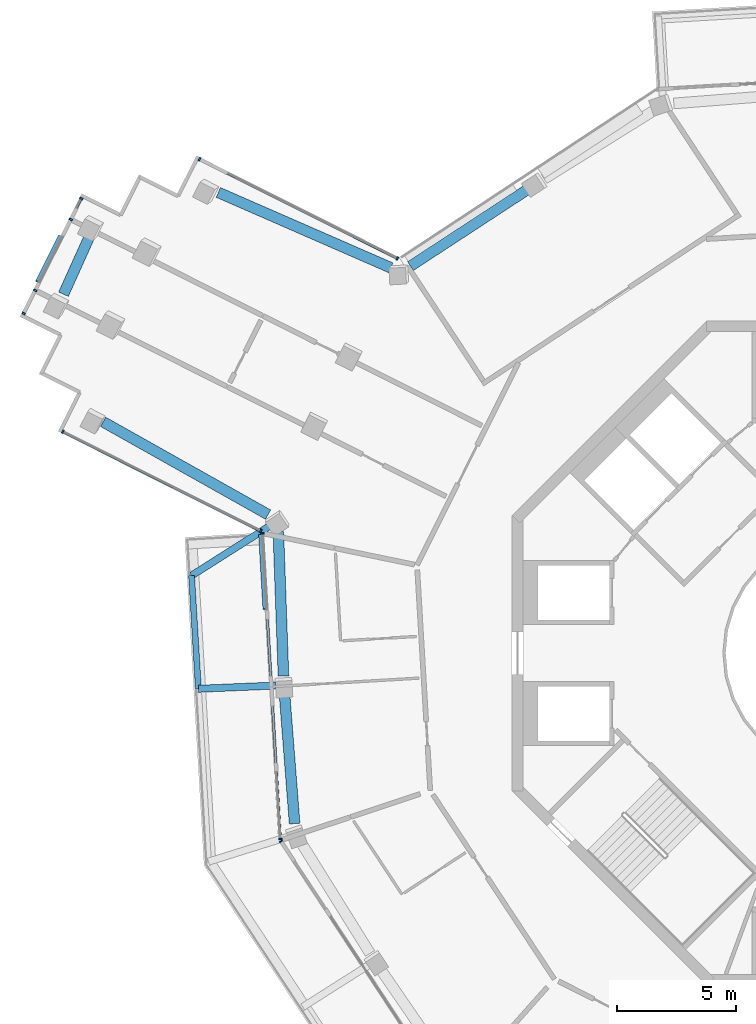
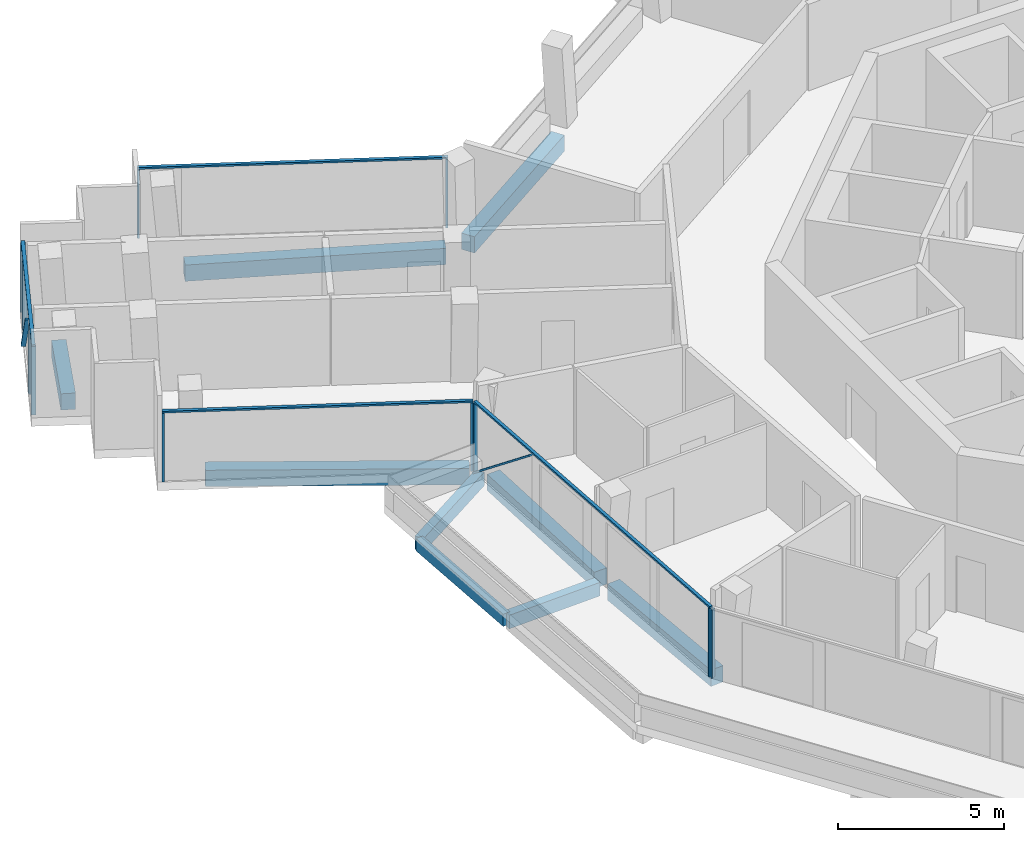
# One storey, part 5 of 26: 17 members, 9 beams, 5 elements without a shape of their own.
"""IFC4 building model written with IfcOpenShell, lengths in metres."""

from ifc_helpers import new_model, si_unit, direction, frame, origin, origin_2d, place, context, subcontext, project, spatial, rectangle, extrude, material, layer, layer_set, material_profile, profile_set, type_object, element, aggregate, save


model = new_model("IFC4")

# Units and contexts
model_context = context("Model", 3, precision=1e-05, world=origin(), true_north=direction((0.0, 1.0)))
body_context = subcontext(model_context, "Body", "Model", "MODEL_VIEW")
ifc_project = project(units=[si_unit("LENGTHUNIT", "METRE"), si_unit("AREAUNIT", "SQUARE_METRE"), si_unit("VOLUMEUNIT", "CUBIC_METRE"), si_unit("PLANEANGLEUNIT", "RADIAN"), si_unit("MASSUNIT", "GRAM", prefix="KILO")], contexts=[model_context])

# Site, building, storey
site_placement = place(None, origin())
site = spatial("IfcSite", under=ifc_project, at=site_placement, CompositionType="ELEMENT")
building_placement = place(site_placement, origin())
building = spatial("IfcBuilding", under=site, at=building_placement, Name="Verdalira Terraces Hotel", CompositionType="ELEMENT")
storey_placement = place(building_placement, frame((0.0, 0.0, 291.5)))
storey = spatial("IfcBuildingStorey", under=building, at=storey_placement, Name="L72", CompositionType="ELEMENT", Elevation=291.5)

# Beams
ifc_material_1 = material(Name="Concrete C40", Category="concrete")
ifc_material_profile_1 = material_profile(ifc_material_1, rectangle(XDim=0.300049, YDim=0.5, at=origin_2d()), Name="RC 300X500")
ifc_profile_set_1 = profile_set([ifc_material_profile_1], Name="Concrete C40")
beam_type_1 = type_object("IfcBeamType", Name="Balcony cantilever beam RC 300X500 C40", PredefinedType="BEAM", material=ifc_profile_set_1)
beam_1_placement = place(storey_placement, frame((-24.170898, 5.384766, -0.560059), z_axis=(-0.844342863, -0.535803256, 0.0), x_axis=(0.535803256, -0.844342863, 0.0)))
element("IfcBeam", 1, at=beam_1_placement, inside=storey, type_object=beam_type_1, Name="Balcony cantilever beam R11-3", PredefinedType="BEAM", context=body_context, shape_type="SweptSolid", body=[
    extrude(rectangle(XDim=0.300049, YDim=0.5, at=origin_2d()), origin(), (0.0, 0.0, 1.0), 3.949951),
])
beam_2_placement = place(storey_placement, frame((-23.968994, -1.366211, -0.560059), z_axis=(-0.999124723, -0.041830462, 0.0), x_axis=(0.041830462, -0.999124723, 0.0)))
element("IfcBeam", 2, at=beam_2_placement, inside=storey, type_object=beam_type_1, Name="Balcony cantilever beam R11-4", PredefinedType="BEAM", context=body_context, shape_type="SweptSolid", body=[
    extrude(rectangle(XDim=0.300049, YDim=0.5, at=origin_2d()), origin(), (0.0, 0.0, 1.0), 3.250977),
])
ifc_material_2 = material(Name="Concrete C40", Category="concrete")
ifc_material_profile_2 = material_profile(ifc_material_2, rectangle(XDim=0.25, YDim=0.449951, at=origin_2d()), Name="RC 250X450")
ifc_profile_set_2 = profile_set([ifc_material_profile_2], Name="Concrete C40")
beam_type_2 = type_object("IfcBeamType", Name="Balcony edge beam RC 250X450 C40", PredefinedType="BEAM", material=ifc_profile_set_2)
beam_3_placement = place(storey_placement, frame((-27.506104, 3.268311, -0.534912), z_axis=(0.060482722, -0.998169244, 0.0), x_axis=(0.998169244, 0.060482722, 0.0)))
element("IfcBeam", 3, at=beam_3_placement, inside=storey, type_object=beam_type_2, Name="Balcony edge beam R11-2", PredefinedType="BEAM", context=body_context, shape_type="SweptSolid", body=[
    extrude(rectangle(XDim=0.25, YDim=0.449951, at=origin_2d()), origin(), (0.0, 0.0, 1.0), 4.779297),
])

# Curtain wall, members
ifc_material_3 = material(Name="Clear glass", Category="glass")
ifc_layer_1 = layer(ifc_material_3, 0.14990234375)
ifc_layer_set_1 = layer_set([ifc_layer_1], Name="CW1 curtain wall")
curtain_wall_type_1 = type_object("IfcCurtainWallType", Name="CW1 curtain wall", PredefinedType="NOTDEFINED", material=ifc_layer_set_1)
curtain_wall_1_placement = place(storey_placement, origin())
curtain_wall_1 = element("IfcCurtainWall", 4, at=curtain_wall_1_placement, inside=storey, type_object=curtain_wall_type_1, Name="CW1 curtain wall L72 edge 11", PredefinedType="NOTDEFINED")
ifc_material_4 = material(Name="Terracotta frame", Category="masonry")
ifc_material_profile_3 = material_profile(ifc_material_4, rectangle(XDim=0.060059, YDim=0.149902, at=origin_2d()), Name="MU 60x150")
ifc_profile_set_3 = profile_set([ifc_material_profile_3], Name="Terracotta frame")
member_type_1 = type_object("IfcMemberType", Name="CW1 mullion 60x150", PredefinedType="MULLION", material=ifc_profile_set_3)
member_1_placement = place(storey_placement, frame((-24.520996, 5.041504, 0.0), z_axis=(0.0, 0.0, 1.0), x_axis=(0.058609456, -0.998280988, 0.0)))
member_1 = element("IfcMember", 5, at=member_1_placement, type_object=member_type_1, Name="CW1 mullion", PredefinedType="MULLION", context=body_context, shape_type="SweptSolid", body=[
    extrude(rectangle(XDim=0.060059, YDim=0.149902, at=origin_2d()), origin(), (0.0, 0.0, 1.0), 2.524902),
])
member_2_placement = place(storey_placement, frame((-23.764893, -7.836182, 0.0), z_axis=(0.0, 0.0, 1.0), x_axis=(0.058609456, -0.998280988, 0.0)))
member_2 = element("IfcMember", 6, at=member_2_placement, type_object=member_type_1, Name="CW1 mullion", PredefinedType="MULLION", context=body_context, shape_type="SweptSolid", body=[
    extrude(rectangle(XDim=0.060059, YDim=0.149902, at=origin_2d()), origin(), (0.0, 0.0, 1.0), 2.524902),
])

# Curtain wall, member
curtain_wall_2_placement = place(storey_placement, origin())
curtain_wall_2 = element("IfcCurtainWall", 7, at=curtain_wall_2_placement, inside=storey, type_object=curtain_wall_type_1, Name="CW1 curtain wall L72 edge 12", PredefinedType="NOTDEFINED")
member_3_placement = place(storey_placement, frame((-23.734375, -7.927979, 0.0), z_axis=(0.0, 0.0, 1.0), x_axis=(0.549897772, -0.835231968, 0.0)))
member_3 = element("IfcMember", 8, at=member_3_placement, type_object=member_type_1, Name="CW1 mullion", PredefinedType="MULLION", context=body_context, shape_type="SweptSolid", body=[
    extrude(rectangle(XDim=0.060059, YDim=0.149902, at=origin_2d()), origin(), (0.0, 0.0, 1.0), 2.524902),
])
aggregate(curtain_wall_2, [member_3])

# Member
ifc_material_5 = material(Name="Terracotta frame", Category="masonry")
ifc_material_profile_4 = material_profile(ifc_material_5, rectangle(XDim=0.110107, YDim=0.064941, at=origin_2d()), Name="TR 65x110")
ifc_profile_set_4 = profile_set([ifc_material_profile_4], Name="Terracotta frame")
member_type_2 = type_object("IfcMemberType", Name="CW1 transom 65x110", PredefinedType="USERDEFINED", material=ifc_profile_set_4)
member_4_placement = place(storey_placement, frame((-24.522705, 5.071533, 2.557617), z_axis=(0.058606068, -0.998281187, 0.0), x_axis=(0.998281187, 0.058606068, 0.0)))
member_4 = element("IfcMember", 9, at=member_4_placement, type_object=member_type_2, Name="CW1 transom", ObjectType="TRANSOM", PredefinedType="USERDEFINED", context=body_context, shape_type="SweptSolid", body=[
    extrude(rectangle(XDim=0.110107, YDim=0.064941, at=origin_2d()), origin(), (0.0, 0.0, 1.0), 12.959717),
])

# Curtain wall, members
ifc_material_6 = material(Name="Clear glass", Category="glass")
ifc_layer_2 = layer(ifc_material_6, 0.14990234375)
ifc_layer_set_2 = layer_set([ifc_layer_2], Name="CW2 curtain wall")
curtain_wall_type_2 = type_object("IfcCurtainWallType", Name="CW2 curtain wall", PredefinedType="NOTDEFINED", material=ifc_layer_set_2)
curtain_wall_3_placement = place(storey_placement, origin())
curtain_wall_3 = element("IfcCurtainWall", 10, at=curtain_wall_3_placement, inside=storey, type_object=curtain_wall_type_2, Name="CW2 curtain wall L72 edge 0", PredefinedType="NOTDEFINED")
ifc_material_7 = material(Name="Terracotta frame", Category="masonry")
ifc_material_profile_5 = material_profile(ifc_material_7, rectangle(XDim=0.070068, YDim=0.149902, at=origin_2d()), Name="MU 70x150")
ifc_profile_set_5 = profile_set([ifc_material_profile_5], Name="Terracotta frame")
member_type_3 = type_object("IfcMemberType", Name="CW2 mullion 70x150", PredefinedType="MULLION", material=ifc_profile_set_5)
member_5_placement = place(storey_placement, frame((-18.833496, 16.635742, 0.0), z_axis=(0.0, 0.0, 1.0), x_axis=(-0.893841424, 0.448383216, 0.0)))
member_5 = element("IfcMember", 11, at=member_5_placement, type_object=member_type_3, Name="CW2 mullion", PredefinedType="MULLION", context=body_context, shape_type="SweptSolid", body=[
    extrude(rectangle(XDim=0.070068, YDim=0.149902, at=origin_2d()), origin(), (0.0, 0.0, 1.0), 2.524902),
])
member_6_placement = place(storey_placement, frame((-27.170898, 20.817871, 0.0), z_axis=(0.0, 0.0, 1.0), x_axis=(-0.893841424, 0.448383216, 0.0)))
member_6 = element("IfcMember", 12, at=member_6_placement, type_object=member_type_3, Name="CW2 mullion", PredefinedType="MULLION", context=body_context, shape_type="SweptSolid", body=[
    extrude(rectangle(XDim=0.070068, YDim=0.149902, at=origin_2d()), origin(), (0.0, 0.0, 1.0), 2.524902),
])

curtain_wall_4_placement = place(storey_placement, origin())
curtain_wall_4 = element("IfcCurtainWall", 13, at=curtain_wall_4_placement, inside=storey, type_object=curtain_wall_type_2, Name="CW2 curtain wall L72 edge 10", PredefinedType="NOTDEFINED")
member_7_placement = place(storey_placement, frame((-32.932617, 9.332031, 0.0), z_axis=(0.0, 0.0, 1.0), x_axis=(0.893841424, -0.448383216, 0.0)))
member_7 = element("IfcMember", 14, at=member_7_placement, type_object=member_type_3, Name="CW2 mullion", PredefinedType="MULLION", context=body_context, shape_type="SweptSolid", body=[
    extrude(rectangle(XDim=0.070068, YDim=0.149902, at=origin_2d()), origin(), (0.0, 0.0, 1.0), 2.524902),
])
member_8_placement = place(storey_placement, frame((-24.595215, 5.149902, 0.0), z_axis=(0.0, 0.0, 1.0), x_axis=(0.893841424, -0.448383216, 0.0)))
member_8 = element("IfcMember", 15, at=member_8_placement, type_object=member_type_3, Name="CW2 mullion", PredefinedType="MULLION", context=body_context, shape_type="SweptSolid", body=[
    extrude(rectangle(XDim=0.070068, YDim=0.149902, at=origin_2d()), origin(), (0.0, 0.0, 1.0), 2.524902),
])

# Member
ifc_material_8 = material(Name="Terracotta frame", Category="masonry")
ifc_material_profile_6 = material_profile(ifc_material_8, rectangle(XDim=0.11499, YDim=0.064941, at=origin_2d()), Name="TR 65x115")
ifc_profile_set_6 = profile_set([ifc_material_profile_6], Name="Terracotta frame")
member_type_4 = type_object("IfcMemberType", Name="CW2 transom 65x115", PredefinedType="USERDEFINED", material=ifc_profile_set_6)
member_9_placement = place(storey_placement, frame((-18.802246, 16.619873, 2.557617), z_axis=(-0.893834085, 0.448397846, 0.0), x_axis=(-0.448397846, -0.893834085, 0.0)))
member_9 = element("IfcMember", 16, at=member_9_placement, type_object=member_type_4, Name="CW2 transom", ObjectType="TRANSOM", PredefinedType="USERDEFINED", context=body_context, shape_type="SweptSolid", body=[
    extrude(rectangle(XDim=0.11499, YDim=0.064941, at=origin_2d()), origin(), (0.0, 0.0, 1.0), 9.397705),
])

aggregate(curtain_wall_3, [member_5, member_6, member_9])

member_10_placement = place(storey_placement, frame((-32.963867, 9.347656, 2.557617), z_axis=(0.893844497, -0.44837709, 0.0), x_axis=(0.44837709, 0.893844497, 0.0)))
member_10 = element("IfcMember", 17, at=member_10_placement, type_object=member_type_4, Name="CW2 transom", ObjectType="TRANSOM", PredefinedType="USERDEFINED", context=body_context, shape_type="SweptSolid", body=[
    extrude(rectangle(XDim=0.11499, YDim=0.064941, at=origin_2d()), origin(), (0.0, 0.0, 1.0), 9.397461),
])

aggregate(curtain_wall_4, [member_7, member_8, member_10])

# Curtain wall, members
ifc_material_9 = material(Name="Clear glass", Category="glass")
ifc_layer_3 = layer(ifc_material_9, 0.14990234375)
ifc_layer_set_3 = layer_set([ifc_layer_3], Name="CW3 curtain wall")
curtain_wall_type_3 = type_object("IfcCurtainWallType", Name="CW3 curtain wall", PredefinedType="NOTDEFINED", material=ifc_layer_set_3)
curtain_wall_5_placement = place(storey_placement, origin())
curtain_wall_5 = element("IfcCurtainWall", 18, at=curtain_wall_5_placement, inside=storey, type_object=curtain_wall_type_3, Name="CW3 curtain wall L72 edge 5", PredefinedType="NOTDEFINED")
ifc_material_10 = material(Name="Terracotta frame", Category="masonry")
ifc_material_profile_7 = material_profile(ifc_material_10, rectangle(XDim=0.080078, YDim=0.149902, at=origin_2d()), Name="MU 80x150")
ifc_profile_set_7 = profile_set([ifc_material_profile_7], Name="Terracotta frame")
member_type_5 = type_object("IfcMemberType", Name="CW3 mullion 80x150", PredefinedType="MULLION", material=ifc_profile_set_7)
member_11_placement = place(storey_placement, frame((-32.152588, 19.160889, 0.0), z_axis=(0.0, 0.0, 1.0), x_axis=(-0.448383216, -0.893841424, 0.0)))
member_11 = element("IfcMember", 19, at=member_11_placement, type_object=member_type_5, Name="CW3 mullion", PredefinedType="MULLION", context=body_context, shape_type="SweptSolid", body=[
    extrude(rectangle(XDim=0.080078, YDim=0.149902, at=origin_2d()), origin(), (0.0, 0.0, 1.0), 2.524902),
])
member_12_placement = place(storey_placement, frame((-32.597168, 18.274902, 0.0), z_axis=(0.0, 0.0, 1.0), x_axis=(-0.448383216, -0.893841424, 0.0)))
member_12 = element("IfcMember", 20, at=member_12_placement, type_object=member_type_5, Name="CW3 mullion", PredefinedType="MULLION", context=body_context, shape_type="SweptSolid", body=[
    extrude(rectangle(XDim=0.080078, YDim=0.149902, at=origin_2d()), origin(), (0.0, 0.0, 1.0), 2.524902),
])
member_13_placement = place(storey_placement, frame((-34.095215, 15.28833, 0.0), z_axis=(0.0, 0.0, 1.0), x_axis=(-0.448383216, -0.893841424, 0.0)))
member_13 = element("IfcMember", 21, at=member_13_placement, type_object=member_type_5, Name="CW3 mullion", PredefinedType="MULLION", context=body_context, shape_type="SweptSolid", body=[
    extrude(rectangle(XDim=0.080078, YDim=0.149902, at=origin_2d()), origin(), (0.0, 0.0, 1.0), 2.524902),
])
member_14_placement = place(storey_placement, frame((-34.583008, 14.316162, 0.0), z_axis=(0.0, 0.0, 1.0), x_axis=(-0.448383216, -0.893841424, 0.0)))
member_14 = element("IfcMember", 22, at=member_14_placement, type_object=member_type_5, Name="CW3 mullion", PredefinedType="MULLION", context=body_context, shape_type="SweptSolid", body=[
    extrude(rectangle(XDim=0.080078, YDim=0.149902, at=origin_2d()), origin(), (0.0, 0.0, 1.0), 2.524902),
])
ifc_material_11 = material(Name="Terracotta frame", Category="masonry")
ifc_material_profile_8 = material_profile(ifc_material_11, rectangle(XDim=0.120117, YDim=0.064941, at=origin_2d()), Name="TR 65x120")
ifc_profile_set_8 = profile_set([ifc_material_profile_8], Name="Terracotta frame")
member_type_6 = type_object("IfcMemberType", Name="CW3 transom 65x120", PredefinedType="USERDEFINED", material=ifc_profile_set_8)
member_15_placement = place(storey_placement, frame((-32.134766, 19.196533, 2.557617), z_axis=(-0.448385112, -0.893840473, 0.0), x_axis=(0.893840473, -0.448385112, 0.0)))
member_15 = element("IfcMember", 23, at=member_15_placement, type_object=member_type_6, Name="CW3 transom", ObjectType="TRANSOM", PredefinedType="USERDEFINED", context=body_context, shape_type="SweptSolid", body=[
    extrude(rectangle(XDim=0.120117, YDim=0.064941, at=origin_2d()), origin(), (0.0, 0.0, 1.0), 5.5),
])
ifc_material_12 = material(Name="Terracotta frame", Category="masonry")
ifc_material_profile_9 = material_profile(ifc_material_12, rectangle(XDim=0.149902, YDim=0.060059, at=origin_2d()), Name="GB 60x150")
ifc_profile_set_9 = profile_set([ifc_material_profile_9], Name="Terracotta frame")
member_type_7 = type_object("IfcMemberType", Name="Diagonal glazing bar 60x150", PredefinedType="USERDEFINED", material=ifc_profile_set_9)
member_16_placement = place(storey_placement, frame((-33.053223, 17.573242, 0.027588), z_axis=(-0.294018559, -0.586246142, 0.754896382), x_axis=(0.893880365, -0.44830558, 0.0)))
member_16 = element("IfcMember", 24, at=member_16_placement, type_object=member_type_7, Name="Diagonal glazing bar", ObjectType="GLAZING BAR", PredefinedType="USERDEFINED", context=body_context, shape_type="SweptSolid", body=[
    extrude(rectangle(XDim=0.149902, YDim=0.060059, at=origin_2d()), origin(), (0.0, 0.0, 1.0), 3.271729),
])
aggregate(curtain_wall_5, [member_11, member_12, member_13, member_14, member_15, member_16])

# Member
member_17_placement = place(storey_placement, frame((-24.606201, 4.975098, 0.024658), z_axis=(0.045967638, -0.782735228, 0.620654927), x_axis=(0.998280021, 0.058625922, 0.0)))
member_17 = element("IfcMember", 25, at=member_17_placement, type_object=member_type_7, Name="Diagonal glazing bar", ObjectType="GLAZING BAR", PredefinedType="USERDEFINED", context=body_context, shape_type="SweptSolid", body=[
    extrude(rectangle(XDim=0.149902, YDim=0.060059, at=origin_2d()), origin(), (0.0, 0.0, 1.0), 3.98877),
])

aggregate(curtain_wall_1, [member_1, member_2, member_4, member_17])

# Beams
ifc_material_13 = material(Name="Concrete C40", Category="concrete")
ifc_material_profile_10 = material_profile(ifc_material_13, rectangle(XDim=0.449951, YDim=0.600098, at=origin_2d()), Name="RC 450X600")
ifc_profile_set_10 = profile_set([ifc_material_profile_10], Name="Concrete C40")
beam_type_3 = type_object("IfcBeamType", Name="Spandrel beam RC 450X600 C40", PredefinedType="SPANDREL", material=ifc_profile_set_10)
beam_4_placement = place(storey_placement, frame((-19.109619, 16.237061, -0.610107), z_axis=(-0.916353618, 0.400369886, 0.0), x_axis=(-0.400369886, -0.916353618, 0.0)))
element("IfcBeam", 26, at=beam_4_placement, inside=storey, type_object=beam_type_3, Name="Spandrel beam B01", PredefinedType="SPANDREL", context=body_context, shape_type="SweptSolid", body=[
    extrude(rectangle(XDim=0.449951, YDim=0.600098, at=origin_2d()), origin(), (0.0, 0.0, 1.0), 7.931396),
])
beam_5_placement = place(storey_placement, frame((-31.734863, 17.716064, -0.610107), z_axis=(-0.410689476, -0.911775276, 0.0), x_axis=(0.911775276, -0.410689476, 0.0)))
element("IfcBeam", 27, at=beam_5_placement, inside=storey, type_object=beam_type_3, Name="Spandrel beam B02", PredefinedType="SPANDREL", context=body_context, shape_type="SweptSolid", body=[
    extrude(rectangle(XDim=0.449951, YDim=0.600098, at=origin_2d()), origin(), (0.0, 0.0, 1.0), 2.843994),
])
beam_6_placement = place(storey_placement, frame((-31.231689, 9.746094, -0.610107), z_axis=(0.871733297, -0.489980672, 0.0), x_axis=(0.489980672, 0.871733297, 0.0)))
element("IfcBeam", 28, at=beam_6_placement, inside=storey, type_object=beam_type_3, Name="Spandrel beam B03", PredefinedType="SPANDREL", context=body_context, shape_type="SweptSolid", body=[
    extrude(rectangle(XDim=0.449951, YDim=0.600098, at=origin_2d()), origin(), (0.0, 0.0, 1.0), 7.974365),
])
beam_7_placement = place(storey_placement, frame((-23.850098, 5.12793, -0.610107), z_axis=(0.035515862, -0.999369113, 0.0), x_axis=(0.999369113, 0.035515862, 0.0)))
element("IfcBeam", 29, at=beam_7_placement, inside=storey, type_object=beam_type_3, Name="Spandrel beam B04", PredefinedType="SPANDREL", context=body_context, shape_type="SweptSolid", body=[
    extrude(rectangle(XDim=0.449951, YDim=0.600098, at=origin_2d()), origin(), (0.0, 0.0, 1.0), 6.097412),
])
beam_8_placement = place(storey_placement, frame((-23.593018, -1.678955, -0.610107), z_axis=(0.077869812, -0.996963536, 0.0), x_axis=(0.996963536, 0.077869812, 0.0)))
element("IfcBeam", 30, at=beam_8_placement, inside=storey, type_object=beam_type_3, Name="Spandrel beam B05", PredefinedType="SPANDREL", context=body_context, shape_type="SweptSolid", body=[
    extrude(rectangle(XDim=0.449951, YDim=0.600098, at=origin_2d()), origin(), (0.0, 0.0, 1.0), 5.52124),
])
beam_9_placement = place(storey_placement, frame((-13.248535, 19.603516, -0.610107), z_axis=(-0.836842243, -0.547444115, 0.0), x_axis=(0.547444115, -0.836842243, 0.0)))
element("IfcBeam", 31, at=beam_9_placement, inside=storey, type_object=beam_type_3, Name="Spandrel beam B29", PredefinedType="SPANDREL", context=body_context, shape_type="SweptSolid", body=[
    extrude(rectangle(XDim=0.449951, YDim=0.600098, at=origin_2d()), origin(), (0.0, 0.0, 1.0), 6.011719),
])

save(model, "model.ifc")
